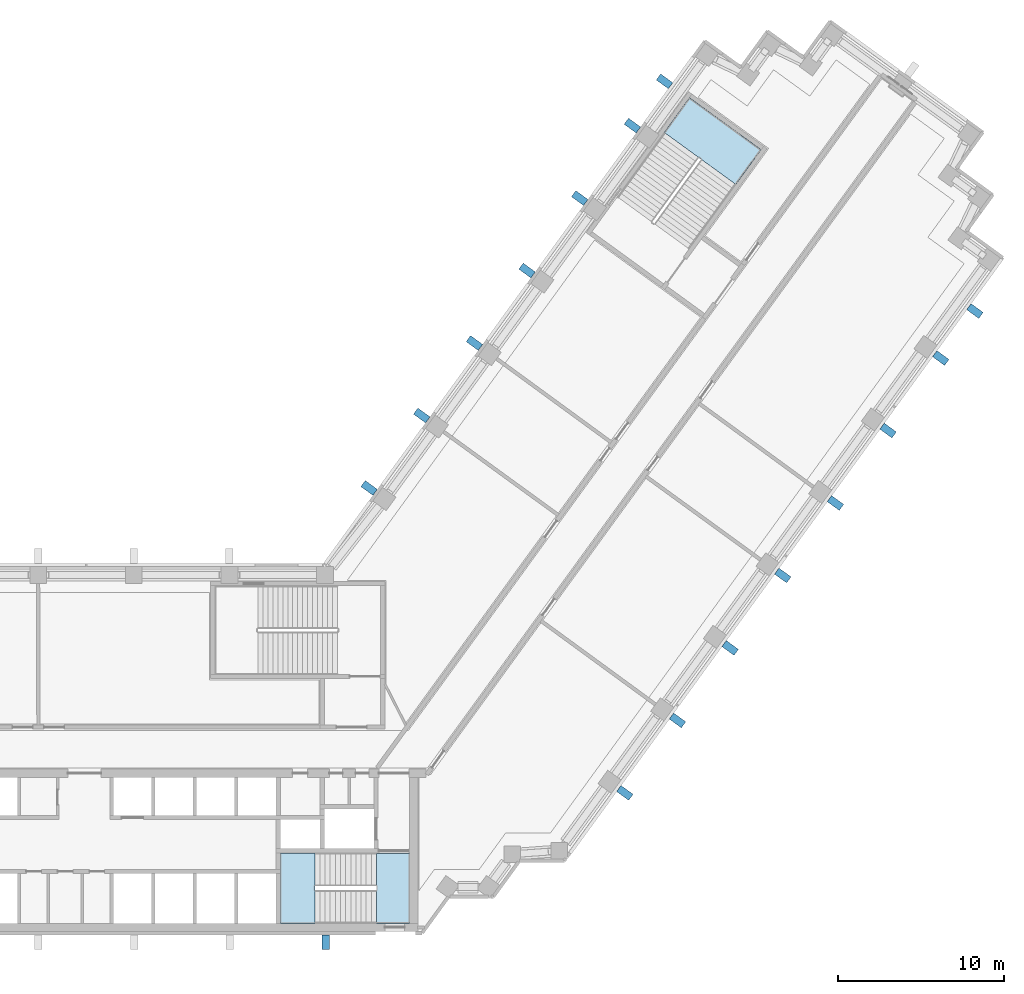
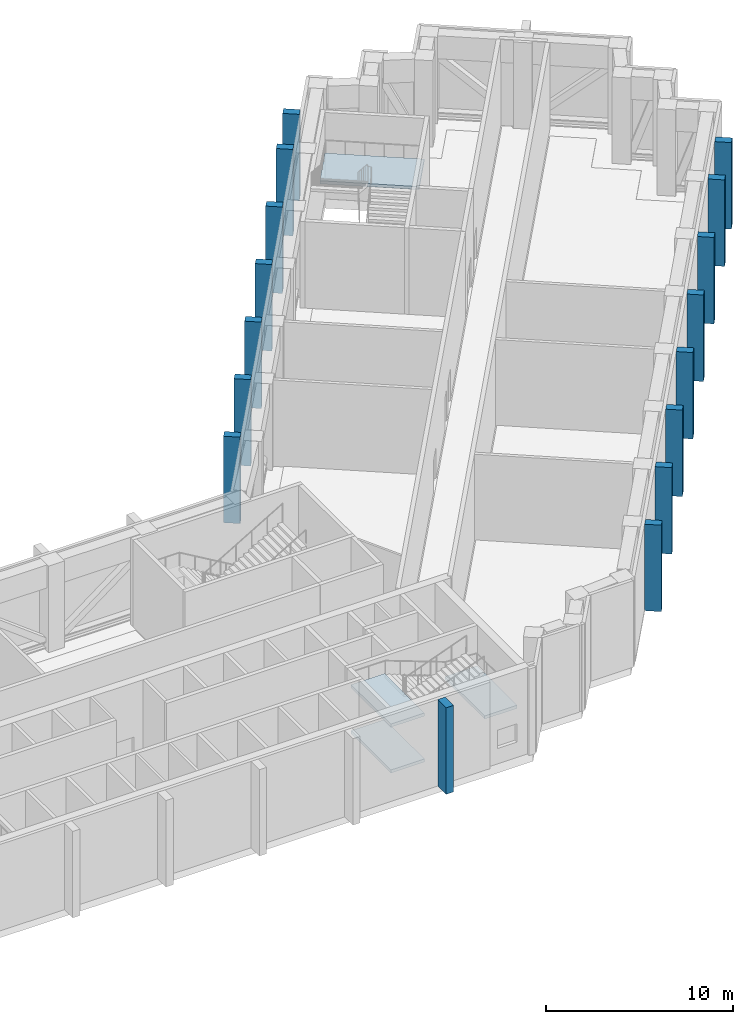
# One storey, part 7 of 19: 16 plates, 4 slabs, 2 elements without a shape of their own.
"""IFC4 building model written with IfcOpenShell, lengths in metres."""

from ifc_helpers import new_model, si_unit, direction, frame, origin, origin_2d, place, context, subcontext, project, spatial, polyline, rectangle, outline, extrude, material, layer, layer_set, type_object, element, aggregate, save


model = new_model("IFC4")

# Units and contexts
model_context = context("Model", 3, precision=1e-05, world=origin(), true_north=direction((0.0, 1.0)))
body_context = subcontext(model_context, "Body", "Model", "MODEL_VIEW")
ifc_project = project(units=[si_unit("LENGTHUNIT", "METRE"), si_unit("AREAUNIT", "SQUARE_METRE"), si_unit("VOLUMEUNIT", "CUBIC_METRE"), si_unit("PLANEANGLEUNIT", "RADIAN"), si_unit("MASSUNIT", "GRAM", prefix="KILO")], contexts=[model_context])

# Site, building, storey
site_placement = place(None, origin())
site = spatial("IfcSite", under=ifc_project, at=site_placement, CompositionType="ELEMENT")
building_placement = place(site_placement, origin())
building = spatial("IfcBuilding", under=site, at=building_placement, Name="Quipu Civic Tower", CompositionType="ELEMENT")
storey_placement = place(building_placement, frame((0.0, 0.0, 25.0)))
storey = spatial("IfcBuildingStorey", under=building, at=storey_placement, Name="L05", CompositionType="ELEMENT", Elevation=25.0)

# Plates
ifc_material_1 = material(Name="Precast concrete C40/50", Category="concrete")
plate_type = type_object("IfcPlateType", Name="Precast fin F1", PredefinedType="SHEET", material=ifc_material_1)
for number, where, z_axis, x_axis, name in (
    (1, (14.431884765625, -11.637939453125, 0.0), (0.0, 0.0, 1.0), (1.0, 0.0, 0.0), "Precast fin F1 L05.19.6"),
    (2, (32.468994140625, -2.6376953125, 0.0), (0.0, 0.0, 1.0), (0.587785716149, 0.809016657363, 0.0), "Precast fin F1 L05.27.1"),
    (3, (35.64306640625, 1.73095703125, 0.0), (0.0, 0.0, 1.0), (0.587785716149, 0.809016657363, 0.0), "Precast fin F1 L05.27.2"),
    (4, (38.817138671875, 6.099853515625, 0.0), (0.0, 0.0, 1.0), (0.587785716149, 0.809016657363, 0.0), "Precast fin F1 L05.27.3"),
    (5, (41.9912109375, 10.468505859375, 0.0), (0.0, 0.0, 1.0), (0.587785716149, 0.809016657363, 0.0), "Precast fin F1 L05.27.4"),
    (6, (45.1650390625, 14.837158203125, 0.0), (0.0, 0.0, 1.0), (0.587785716149, 0.809016657363, 0.0), "Precast fin F1 L05.27.5"),
    (7, (48.339111328125, 19.205810546875, 0.0), (0.0, 0.0, 1.0), (0.587785716149, 0.809016657363, 0.0), "Precast fin F1 L05.27.6"),
    (8, (51.51318359375, 23.574462890625, 0.0), (0.0, 0.0, 1.0), (0.587785716149, 0.809016657363, 0.0), "Precast fin F1 L05.27.7"),
    (9, (53.57177734375, 26.407958984375, 0.0), (0.0, 0.0, 1.0), (0.587785716149, 0.809016657363, 0.0), "Precast fin F1 L05.27.8"),
    (10, (34.861572265625, 40.255126953125, 0.0), (0.0, 0.0, 1.0), (-0.587784944053, -0.809017218324, 0.0), "Precast fin F1 L05.37.1"),
    (11, (32.92333984375, 37.58740234375, 0.0), (0.0, 0.0, 1.0), (-0.587784944053, -0.809017218324, 0.0), "Precast fin F1 L05.37.2"),
    (12, (29.749267578125, 33.21875, 0.0), (0.0, 0.0, 1.0), (-0.587784944053, -0.809017218324, 0.0), "Precast fin F1 L05.37.3"),
    (13, (26.575439453125, 28.849853515625, 0.0), (0.0, 0.0, 1.0), (-0.587784944053, -0.809017218324, 0.0), "Precast fin F1 L05.37.4"),
    (14, (23.4013671875, 24.481201171875, 0.0), (0.0, 0.0, 1.0), (-0.587784944053, -0.809017218324, 0.0), "Precast fin F1 L05.37.5"),
    (15, (20.227294921875, 20.112548828125, 0.0), (0.0, 0.0, 1.0), (-0.587784944053, -0.809017218324, 0.0), "Precast fin F1 L05.37.6"),
    (16, (17.05322265625, 15.743896484375, 0.0), (0.0, 0.0, 1.0), (-0.587784944053, -0.809017218324, 0.0), "Precast fin F1 L05.37.7"),
):
    element("IfcPlate", number, at=place(storey_placement, frame(where, z_axis=z_axis, x_axis=x_axis)), inside=storey, type_object=plate_type, Name=name, PredefinedType="SHEET", context=body_context, shape_type="SweptSolid", body=[
        extrude(rectangle(XDim=0.449951171875, YDim=0.89990234375, at=origin_2d()), origin(), (0.0, 0.0, 1.0), 5.64990234375),
    ])

# Stair, slabs
ifc_material_2 = material(Name="Concrete C40/50", Category="concrete")
stair_type_1 = type_object("IfcStairType", Name="Half turn stair 2000", PredefinedType="HALF_TURN_STAIR", material=ifc_material_2)
stair_1_placement = place(storey_placement, origin())
stair_1 = element("IfcStair", 17, at=stair_1_placement, inside=storey, type_object=stair_type_1, Name="Exit stair 2", PredefinedType="HALF_TURN_STAIR")
ifc_material_3 = material(Name="Concrete C40/50", Category="concrete")
ifc_layer = layer(ifc_material_3, 0.199951171875)
ifc_layer_set = layer_set([ifc_layer], Name="Concrete C40/50")
slab_type = type_object("IfcSlabType", Name="Stair landing 200", PredefinedType="LANDING", material=ifc_layer_set)
slab_1_placement = place(storey_placement, frame((0.0, 0.0, 1.300048828125)))
slab_1 = element("IfcSlab", 18, at=slab_1_placement, type_object=slab_type, Name="ST-2 landing 1", PredefinedType="LANDING", context=body_context, shape_type="SweptSolid", body=[
    extrude(outline(polyline([(13.780029296875, -6.25), (11.699951171875, -6.25), (11.699951171875, -10.5), (13.780029296875, -10.5), (13.780029296875, -6.25)])), origin(), (0.0, 0.0, 1.0), 0.199951171875),
])
slab_2_placement = place(storey_placement, frame((0.0, 0.0, 2.800048828125)))
slab_2 = element("IfcSlab", 19, at=slab_2_placement, type_object=slab_type, Name="ST-2 landing 2", PredefinedType="LANDING", context=body_context, shape_type="SweptSolid", body=[
    extrude(outline(polyline([(19.5, -6.25), (17.5, -6.25), (17.5, -10.5), (19.5, -10.5), (19.5, -6.25)])), origin(), (0.0, 0.0, 1.0), 0.199951171875),
])
slab_3_placement = place(storey_placement, frame((0.0, 0.0, 4.300048828125)))
slab_3 = element("IfcSlab", 20, at=slab_3_placement, type_object=slab_type, Name="ST-2 landing 3", PredefinedType="LANDING", context=body_context, shape_type="SweptSolid", body=[
    extrude(outline(polyline([(13.780029296875, -6.25), (11.699951171875, -6.25), (11.699951171875, -10.5), (13.780029296875, -10.5), (13.780029296875, -6.25)])), origin(), (0.0, 0.0, 1.0), 0.199951171875),
])
aggregate(stair_1, [slab_1, slab_2, slab_3])

# Stair, slab
ifc_material_4 = material(Name="Concrete C40/50", Category="concrete")
stair_type_2 = type_object("IfcStairType", Name="Half turn stair 2600", PredefinedType="HALF_TURN_STAIR", material=ifc_material_4)
stair_2_placement = place(storey_placement, origin())
stair_2 = element("IfcStair", 21, at=stair_2_placement, inside=storey, type_object=stair_type_2, Name="Exit stair 7", PredefinedType="HALF_TURN_STAIR")
slab_4_placement = place(storey_placement, frame((0.0, 0.0, 2.800048828125)))
slab_4 = element("IfcSlab", 22, at=slab_4_placement, type_object=slab_type, Name="ST-7 landing 1", PredefinedType="LANDING", context=body_context, shape_type="SweptSolid", body=[
    extrude(outline(polyline([(39.16552734375, 34.034912109375), (40.69384765625, 36.138427734375), (36.365478515625, 39.282958984375), (34.837158203125, 37.179443359375), (39.16552734375, 34.034912109375)])), origin(), (0.0, 0.0, 1.0), 0.199951171875),
])
aggregate(stair_2, [slab_4])

save(model, "model.ifc")
